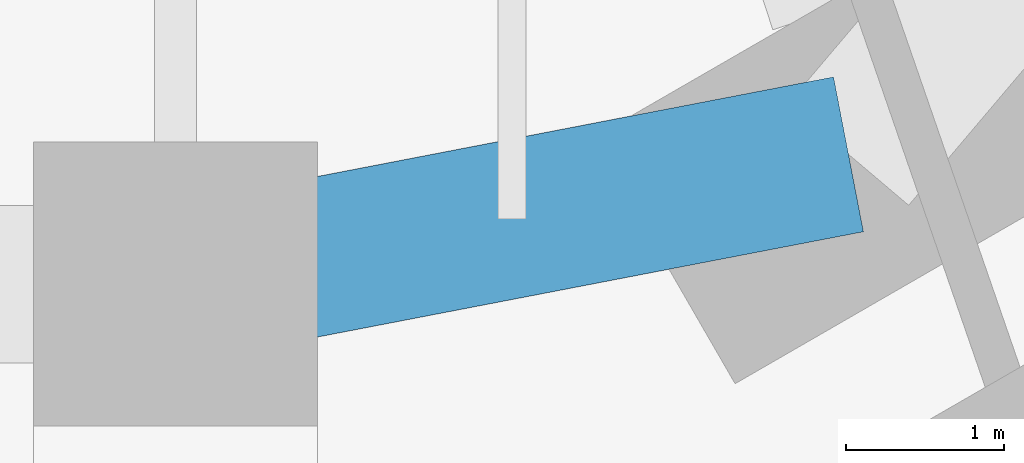
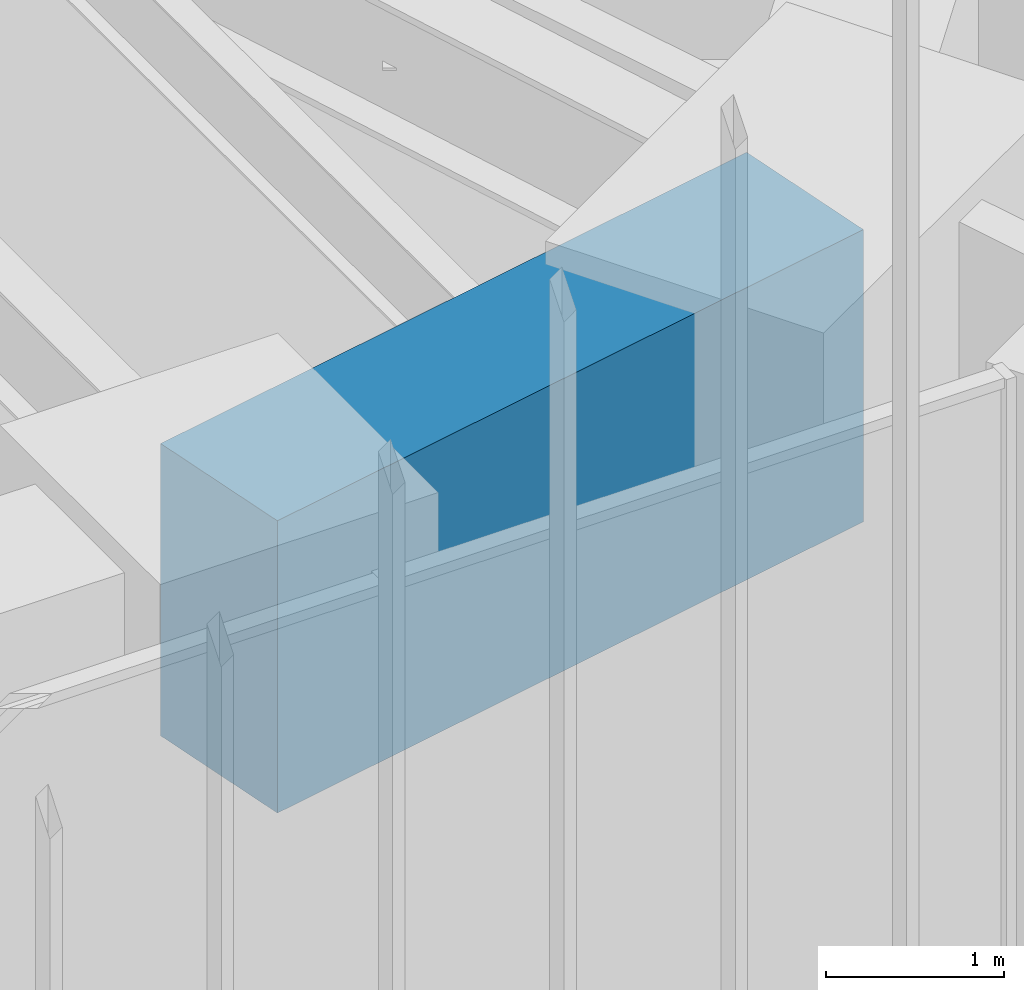
# One storey, part 74 of 228: 1 beam.
"""IFC4 building model written with IfcOpenShell, lengths in metres."""

from ifc_helpers import new_model, si_unit, direction, frame, origin, origin_2d, place, context, subcontext, project, spatial, rectangle, extrude, material, material_profile, profile_set, type_object, element, save


model = new_model("IFC4")

# Units and contexts
model_context = context("Model", 3, precision=1e-05, world=origin(), true_north=direction((0.0, 1.0)))
body_context = subcontext(model_context, "Body", "Model", "MODEL_VIEW")
ifc_project = project(units=[si_unit("LENGTHUNIT", "METRE"), si_unit("AREAUNIT", "SQUARE_METRE"), si_unit("VOLUMEUNIT", "CUBIC_METRE"), si_unit("PLANEANGLEUNIT", "RADIAN"), si_unit("MASSUNIT", "GRAM", prefix="KILO")], contexts=[model_context])

# Site, building, storey
site_placement = place(None, origin())
site = spatial("IfcSite", under=ifc_project, at=site_placement, CompositionType="ELEMENT")
building_placement = place(site_placement, origin())
building = spatial("IfcBuilding", under=site, at=building_placement, Name="Sandreach Pilgrim Tower", CompositionType="ELEMENT")
storey_placement = place(building_placement, frame((0.0, 0.0, 178.199951171875)))
storey = spatial("IfcBuildingStorey", under=building, at=storey_placement, Name="L44", CompositionType="ELEMENT", Elevation=178.199951171875)

# Beam
ifc_material = material(Name="Concrete 10000 psi", Category="concrete")
ifc_material_profile = material_profile(ifc_material, rectangle(XDim=1.0, YDim=2.0, at=origin_2d()), Name="RC1000X2000")
ifc_profile_set = profile_set([ifc_material_profile], Name="Concrete 10000 psi")
beam_type = type_object("IfcBeamType", Name="Spandrel beam RC1000X2000", PredefinedType="SPANDREL", material=ifc_profile_set)
beam_placement = place(storey_placement, frame((7.978515625, -24.44189453125, 3.840087890625), z_axis=(-0.981901333807, -0.18939316426, 0.0), x_axis=(0.18939316426, -0.981901333807, 0.0)))
element("IfcBeam", 1, at=beam_placement, inside=storey, type_object=beam_type, Name="BM L44 SP22", PredefinedType="SPANDREL", context=body_context, shape_type="SweptSolid", body=[
    extrude(rectangle(XDim=1.0, YDim=2.0, at=origin_2d()), origin(), (0.0, 0.0, 1.0), 4.3466796875),
])

save(model, "model.ifc")
